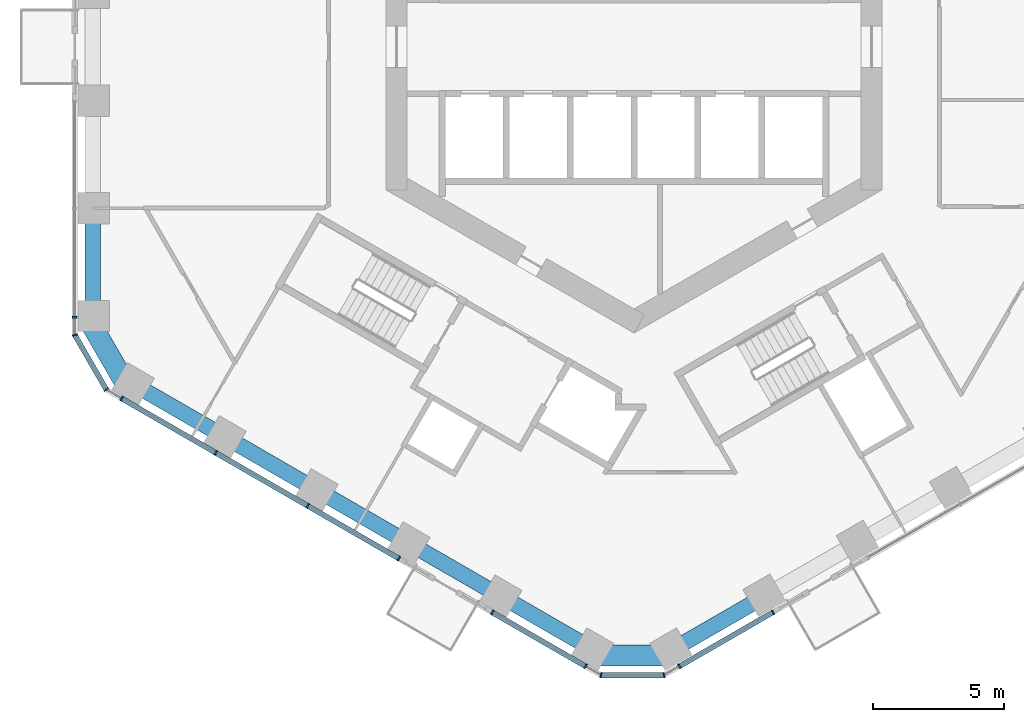
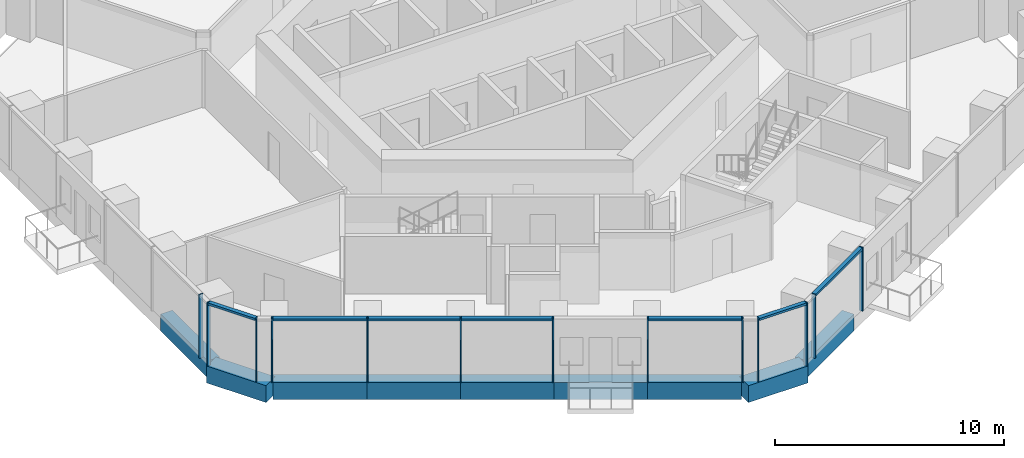
# One storey, part 2 of 20: 18 members, 9 beams, 6 elements without a shape of their own.
"""IFC4 building model written with IfcOpenShell, lengths in metres."""

from ifc_helpers import new_model, si_unit, direction, frame, origin, origin_2d, place, context, subcontext, project, spatial, rectangle, extrude, material, layer, layer_set, material_profile, profile_set, type_object, element, aggregate, save


model = new_model("IFC4")

# Units and contexts
model_context = context("Model", 3, precision=1e-05, world=origin(), true_north=direction((0.0, 1.0)))
body_context = subcontext(model_context, "Body", "Model", "MODEL_VIEW")
ifc_project = project(units=[si_unit("LENGTHUNIT", "METRE"), si_unit("AREAUNIT", "SQUARE_METRE"), si_unit("VOLUMEUNIT", "CUBIC_METRE"), si_unit("PLANEANGLEUNIT", "RADIAN"), si_unit("MASSUNIT", "GRAM", prefix="KILO")], contexts=[model_context])

# Site, building, storey
site_placement = place(None, origin())
site = spatial("IfcSite", under=ifc_project, at=site_placement, CompositionType="ELEMENT")
building_placement = place(site_placement, origin())
building = spatial("IfcBuilding", under=site, at=building_placement, Name="Ayvan Gate Tower", CompositionType="ELEMENT")
storey_placement = place(building_placement, frame((0.0, 0.0, 28.89990234375)))
storey = spatial("IfcBuildingStorey", under=building, at=storey_placement, Name="L06", CompositionType="ELEMENT", Elevation=28.89990234375)

# Beams
ifc_material_1 = material(Name="Concrete C40/50", Category="concrete")
ifc_material_profile_1 = material_profile(ifc_material_1, rectangle(XDim=0.800048828125, YDim=0.89990234375, at=origin_2d()), Name="RC 800x900")
ifc_profile_set_1 = profile_set([ifc_material_profile_1], Name="Concrete C40/50")
beam_type_1 = type_object("IfcBeamType", Name="Corner spandrel beam RC 800x900 C40/50", PredefinedType="BEAM", material=ifc_profile_set_1)
for number, where, z_axis, x_axis, name in (
    (1, (-20.9296875, -10.404052734375, -0.7998046875), (0.499990139034, -0.866031096941, 0.0), (0.866031096941, 0.499990139034, 0.0), "SB-L06-24"),
    (2, (-1.54541015625, -23.327880859375, -0.7998046875), (1.0, 0.0, 0.0), (0.0, 1.0, 0.0), "SB-L06-30"),
):
    element("IfcBeam", number, at=place(storey_placement, frame(where, z_axis=z_axis, x_axis=x_axis)), inside=storey, type_object=beam_type_1, Name=name, PredefinedType="BEAM", context=body_context, shape_type="SweptSolid", body=[
        extrude(rectangle(XDim=0.800048828125, YDim=0.89990234375, at=origin_2d()), origin(), (0.0, 0.0, 1.0), 3.0),
    ])
ifc_material_profile_2 = material_profile(ifc_material_1, rectangle(XDim=0.60009765625, YDim=0.89990234375, at=origin_2d()), Name="RC 600x900")
ifc_profile_set_2 = profile_set([ifc_material_profile_2], Name="Concrete C40/50")
beam_type_2 = type_object("IfcBeamType", Name="Spandrel beam RC 600x900 C40/50", PredefinedType="BEAM", material=ifc_profile_set_2)
beam_1_placement = place(storey_placement, frame((-20.7392578125, -6.176513671875, -0.7998046875), z_axis=(0.0, -1.0, 0.0), x_axis=(1.0, 0.0, 0.0)))
element("IfcBeam", 3, at=beam_1_placement, inside=storey, type_object=beam_type_2, Name="SB-L06-23", PredefinedType="BEAM", context=body_context, shape_type="SweptSolid", body=[
    extrude(rectangle(XDim=0.60009765625, YDim=0.89990234375, at=origin_2d()), origin(), (0.0, 0.0, 1.0), 4.11767578125),
])
beam_2_placement = place(storey_placement, frame((-19.2392578125, -12.892333984375, -0.7998046875), z_axis=(0.866043310254, -0.499968983802, 0.0), x_axis=(0.499968983802, 0.866043310254, 0.0)))
element("IfcBeam", 4, at=beam_2_placement, inside=storey, type_object=beam_type_2, Name="SB-L06-25", PredefinedType="BEAM", context=body_context, shape_type="SweptSolid", body=[
    extrude(rectangle(XDim=0.60009765625, YDim=0.89990234375, at=origin_2d()), origin(), (0.0, 0.0, 1.0), 4.086181640625),
])
beam_3_placement = place(storey_placement, frame((-15.700439453125, -14.935302734375, -0.7998046875), z_axis=(0.866017439413, -0.500013794443, 0.0), x_axis=(0.500013794443, 0.866017439413, 0.0)))
element("IfcBeam", 5, at=beam_3_placement, inside=storey, type_object=beam_type_2, Name="SB-L06-26", PredefinedType="BEAM", context=body_context, shape_type="SweptSolid", body=[
    extrude(rectangle(XDim=0.60009765625, YDim=0.89990234375, at=origin_2d()), origin(), (0.0, 0.0, 1.0), 4.08642578125),
])
for number, where, z_axis, x_axis, name in (
    (6, (-12.16162109375, -16.978515625, -0.7998046875), (0.866043310254, -0.499968983802, 0.0), (0.499968983802, 0.866043310254, 0.0), "SB-L06-27"),
    (7, (-8.622802734375, -19.021484375, -0.7998046875), (0.866002500944, -0.500039666786, 0.0), (0.500039666786, 0.866002500944, 0.0), "SB-L06-28"),
    (8, (-5.084228515625, -21.064697265625, -0.7998046875), (0.866043310254, -0.499968983802, 0.0), (0.499968983802, 0.866043310254, 0.0), "SB-L06-29"),
):
    element("IfcBeam", number, at=place(storey_placement, frame(where, z_axis=z_axis, x_axis=x_axis)), inside=storey, type_object=beam_type_2, Name=name, PredefinedType="BEAM", context=body_context, shape_type="SweptSolid", body=[
        extrude(rectangle(XDim=0.60009765625, YDim=0.89990234375, at=origin_2d()), origin(), (0.0, 0.0, 1.0), 4.086181640625),
    ])
beam_4_placement = place(storey_placement, frame((1.45458984375, -23.107666015625, -0.7998046875), z_axis=(0.866019704869, 0.500009870681, 0.0), x_axis=(-0.500009870681, 0.866019704869, 0.0)))
element("IfcBeam", 9, at=beam_4_placement, inside=storey, type_object=beam_type_2, Name="SB-L06-31", PredefinedType="BEAM", context=body_context, shape_type="SweptSolid", body=[
    extrude(rectangle(XDim=0.60009765625, YDim=0.89990234375, at=origin_2d()), origin(), (0.0, 0.0, 1.0), 4.11767578125),
])

# Curtain wall, member
ifc_material_2 = material(Name="Bronze anodised aluminium", Category="aluminium")
ifc_layer_1 = layer(ifc_material_2, 0.199951171875)
ifc_layer_set_1 = layer_set([ifc_layer_1], Name="Bronze anodised aluminium")
curtain_wall_type_1 = type_object("IfcCurtainWallType", Name="Stick curtain wall CW-1", PredefinedType="NOTDEFINED", material=ifc_layer_set_1)
curtain_wall_1_placement = place(storey_placement, origin())
curtain_wall_1 = element("IfcCurtainWall", 10, at=curtain_wall_1_placement, inside=storey, type_object=curtain_wall_type_1, Name="Stick curtain wall CW-1 L06", PredefinedType="NOTDEFINED")
ifc_material_profile_3 = material_profile(ifc_material_2, rectangle(XDim=0.199951171875, YDim=0.06005859375, at=origin_2d()), Name="Stick curtain wall CW-1 mullion 200 x 60")
ifc_profile_set_3 = profile_set([ifc_material_profile_3], Name="Bronze anodised aluminium")
member_type_1 = type_object("IfcMemberType", Name="Stick curtain wall CW-1 mullion 200 x 60", PredefinedType="MULLION", material=ifc_profile_set_3)
member_1_placement = place(storey_placement, frame((-21.42529296875, -10.3642578125, 0.0), z_axis=(0.0, 0.0, 1.0), x_axis=(-1.0, 0.0, 0.0)))
member_1 = element("IfcMember", 11, at=member_1_placement, type_object=member_type_1, Name="CW-1 mullion 3", PredefinedType="MULLION", context=body_context, shape_type="SweptSolid", body=[
    extrude(rectangle(XDim=0.199951171875, YDim=0.06005859375, at=origin_2d()), origin(), (0.0, 0.0, 1.0), 3.400146484375),
])
aggregate(curtain_wall_1, [member_1])

# Curtain wall, members
curtain_wall_2_placement = place(storey_placement, origin())
curtain_wall_2 = element("IfcCurtainWall", 12, at=curtain_wall_2_placement, inside=storey, type_object=curtain_wall_type_1, Name="Stick curtain wall CW-1 L06", PredefinedType="NOTDEFINED")
member_2_placement = place(storey_placement, frame((-19.629150390625, -13.475341796875, 0.0), z_axis=(0.0, 0.0, 1.0), x_axis=(-0.5, -0.866025403784, 0.0)))
member_2 = element("IfcMember", 13, at=member_2_placement, type_object=member_type_1, Name="CW-1 mullion 1", PredefinedType="MULLION", context=body_context, shape_type="SweptSolid", body=[
    extrude(rectangle(XDim=0.199951171875, YDim=0.06005859375, at=origin_2d()), origin(), (0.0, 0.0, 1.0), 3.400146484375),
])
member_3_placement = place(storey_placement, frame((-16.024658203125, -15.556396484375, 0.0), z_axis=(0.0, 0.0, 1.0), x_axis=(-0.5, -0.866025403784, 0.0)))
member_3 = element("IfcMember", 14, at=member_3_placement, type_object=member_type_1, Name="CW-1 mullion 2", PredefinedType="MULLION", context=body_context, shape_type="SweptSolid", body=[
    extrude(rectangle(XDim=0.199951171875, YDim=0.06005859375, at=origin_2d()), origin(), (0.0, 0.0, 1.0), 3.400146484375),
])
member_4_placement = place(storey_placement, frame((-12.502685546875, -17.58984375, 0.0), z_axis=(0.0, 0.0, 1.0), x_axis=(-0.5, -0.866025403784, 0.0)))
member_4 = element("IfcMember", 15, at=member_4_placement, type_object=member_type_1, Name="CW-1 mullion 3", PredefinedType="MULLION", context=body_context, shape_type="SweptSolid", body=[
    extrude(rectangle(XDim=0.199951171875, YDim=0.06005859375, at=origin_2d()), origin(), (0.0, 0.0, 1.0), 3.400146484375),
])
member_5_placement = place(storey_placement, frame((-9.00732421875, -19.60791015625, 0.0), z_axis=(0.0, 0.0, 1.0), x_axis=(-0.5, -0.866025403784, 0.0)))
member_5 = element("IfcMember", 16, at=member_5_placement, type_object=member_type_1, Name="CW-1 mullion 4", PredefinedType="MULLION", context=body_context, shape_type="SweptSolid", body=[
    extrude(rectangle(XDim=0.199951171875, YDim=0.06005859375, at=origin_2d()), origin(), (0.0, 0.0, 1.0), 3.400146484375),
])

curtain_wall_3_placement = place(storey_placement, origin())
curtain_wall_3 = element("IfcCurtainWall", 17, at=curtain_wall_3_placement, inside=storey, type_object=curtain_wall_type_1, Name="Stick curtain wall CW-1 L06", PredefinedType="NOTDEFINED")
member_6_placement = place(storey_placement, frame((-5.43408203125, -21.6708984375, 0.0), z_axis=(0.0, 0.0, 1.0), x_axis=(-0.5, -0.866025403784, 0.0)))
member_6 = element("IfcMember", 18, at=member_6_placement, type_object=member_type_1, Name="CW-1 mullion 1", PredefinedType="MULLION", context=body_context, shape_type="SweptSolid", body=[
    extrude(rectangle(XDim=0.199951171875, YDim=0.06005859375, at=origin_2d()), origin(), (0.0, 0.0, 1.0), 3.400146484375),
])
member_7_placement = place(storey_placement, frame((-1.85546875, -23.737060546875, 0.0), z_axis=(0.0, 0.0, 1.0), x_axis=(-0.5, -0.866025403784, 0.0)))
member_7 = element("IfcMember", 19, at=member_7_placement, type_object=member_type_1, Name="CW-1 mullion 2", PredefinedType="MULLION", context=body_context, shape_type="SweptSolid", body=[
    extrude(rectangle(XDim=0.199951171875, YDim=0.06005859375, at=origin_2d()), origin(), (0.0, 0.0, 1.0), 3.400146484375),
])

curtain_wall_4_placement = place(storey_placement, origin())
curtain_wall_4 = element("IfcCurtainWall", 20, at=curtain_wall_4_placement, inside=storey, type_object=curtain_wall_type_1, Name="Stick curtain wall CW-1 L06", PredefinedType="NOTDEFINED")
member_8_placement = place(storey_placement, frame((1.73681640625, -23.737060546875, 0.0), z_axis=(0.0, 0.0, 1.0), x_axis=(0.5, -0.866025403784, 0.0)))
member_8 = element("IfcMember", 21, at=member_8_placement, type_object=member_type_1, Name="CW-1 mullion 1", PredefinedType="MULLION", context=body_context, shape_type="SweptSolid", body=[
    extrude(rectangle(XDim=0.199951171875, YDim=0.06005859375, at=origin_2d()), origin(), (0.0, 0.0, 1.0), 3.400146484375),
])
member_9_placement = place(storey_placement, frame((5.32470703125, -21.66552734375, 0.0), z_axis=(0.0, 0.0, 1.0), x_axis=(0.5, -0.866025403784, 0.0)))
member_9 = element("IfcMember", 22, at=member_9_placement, type_object=member_type_1, Name="CW-1 mullion 2", PredefinedType="MULLION", context=body_context, shape_type="SweptSolid", body=[
    extrude(rectangle(XDim=0.199951171875, YDim=0.06005859375, at=origin_2d()), origin(), (0.0, 0.0, 1.0), 3.400146484375),
])

# Member
ifc_material_profile_4 = material_profile(ifc_material_2, rectangle(XDim=0.199951171875, YDim=0.1201171875, at=origin_2d()), Name="Stick curtain wall CW-1 transom 200 x 120")
ifc_profile_set_4 = profile_set([ifc_material_profile_4], Name="Bronze anodised aluminium")
member_type_2 = type_object("IfcMemberType", Name="Stick curtain wall CW-1 transom 200 x 120", PredefinedType="USERDEFINED", material=ifc_profile_set_4)
member_10_placement = place(storey_placement, frame((-19.629150390625, -13.475341796875, 3.340087890625), z_axis=(0.86602349169, -0.50000331183, 0.0), x_axis=(0.50000331183, 0.86602349169, 0.0)))
member_10 = element("IfcMember", 23, at=member_10_placement, type_object=member_type_2, Name="CW-1 transom 1", ObjectType="TRANSOM", PredefinedType="USERDEFINED", context=body_context, shape_type="SweptSolid", body=[
    extrude(rectangle(XDim=0.199951171875, YDim=0.1201171875, at=origin_2d()), origin(), (0.0, 0.0, 1.0), 12.26513671875),
])

aggregate(curtain_wall_2, [member_2, member_3, member_4, member_5, member_10])

member_11_placement = place(storey_placement, frame((-5.43408203125, -21.6708984375, 3.340087890625), z_axis=(0.866020293397, -0.500008851346, 0.0), x_axis=(0.500008851346, 0.866020293397, 0.0)))
member_11 = element("IfcMember", 24, at=member_11_placement, type_object=member_type_2, Name="CW-1 transom 1", ObjectType="TRANSOM", PredefinedType="USERDEFINED", context=body_context, shape_type="SweptSolid", body=[
    extrude(rectangle(XDim=0.199951171875, YDim=0.1201171875, at=origin_2d()), origin(), (0.0, 0.0, 1.0), 4.13232421875),
])

aggregate(curtain_wall_3, [member_6, member_7, member_11])

member_12_placement = place(storey_placement, frame((1.73681640625, -23.737060546875, 3.340087890625), z_axis=(0.866018757971, 0.500011510709, 0.0), x_axis=(-0.500011510709, 0.866018757971, 0.0)))
member_12 = element("IfcMember", 25, at=member_12_placement, type_object=member_type_2, Name="CW-1 transom 1", ObjectType="TRANSOM", PredefinedType="USERDEFINED", context=body_context, shape_type="SweptSolid", body=[
    extrude(rectangle(XDim=0.199951171875, YDim=0.1201171875, at=origin_2d()), origin(), (0.0, 0.0, 1.0), 4.14306640625),
])

aggregate(curtain_wall_4, [member_8, member_9, member_12])

# Curtain wall, members
ifc_layer_2 = layer(ifc_material_2, 0.199951171875)
ifc_layer_set_2 = layer_set([ifc_layer_2], Name="Bronze anodised aluminium")
curtain_wall_type_2 = type_object("IfcCurtainWallType", Name="Stick curtain wall CW-6", PredefinedType="NOTDEFINED", material=ifc_layer_set_2)
curtain_wall_5_placement = place(storey_placement, origin())
curtain_wall_5 = element("IfcCurtainWall", 26, at=curtain_wall_5_placement, inside=storey, type_object=curtain_wall_type_2, Name="Stick curtain wall CW-6 L06", PredefinedType="NOTDEFINED")
ifc_material_profile_5 = material_profile(ifc_material_2, rectangle(XDim=0.199951171875, YDim=0.050048828125, at=origin_2d()), Name="Stick curtain wall CW-6 mullion 200 x 50")
ifc_profile_set_5 = profile_set([ifc_material_profile_5], Name="Bronze anodised aluminium")
member_type_3 = type_object("IfcMemberType", Name="Stick curtain wall CW-6 mullion 200 x 50", PredefinedType="MULLION", material=ifc_profile_set_5)
member_13_placement = place(storey_placement, frame((-21.42529296875, -11.04443359375, 0.0), z_axis=(0.0, 0.0, 1.0), x_axis=(-0.965925826289, -0.258819045103, 0.0)))
member_13 = element("IfcMember", 27, at=member_13_placement, type_object=member_type_3, Name="CW-6 mullion 2", PredefinedType="MULLION", context=body_context, shape_type="SweptSolid", body=[
    extrude(rectangle(XDim=0.199951171875, YDim=0.050048828125, at=origin_2d()), origin(), (0.0, 0.0, 1.0), 3.400146484375),
])
member_14_placement = place(storey_placement, frame((-20.218017578125, -13.135498046875, 0.0), z_axis=(0.0, 0.0, 1.0), x_axis=(-0.707106781187, -0.707106781187, 0.0)))
member_14 = element("IfcMember", 28, at=member_14_placement, type_object=member_type_3, Name="CW-6 mullion 3", PredefinedType="MULLION", context=body_context, shape_type="SweptSolid", body=[
    extrude(rectangle(XDim=0.199951171875, YDim=0.050048828125, at=origin_2d()), origin(), (0.0, 0.0, 1.0), 3.400146484375),
])

curtain_wall_6_placement = place(storey_placement, origin())
curtain_wall_6 = element("IfcCurtainWall", 29, at=curtain_wall_6_placement, inside=storey, type_object=curtain_wall_type_2, Name="Stick curtain wall CW-6 L06", PredefinedType="NOTDEFINED")
member_15_placement = place(storey_placement, frame((-1.2666015625, -24.076904296875, 0.0), z_axis=(0.0, 0.0, 1.0), x_axis=(-0.258819045103, -0.965925826289, 0.0)))
member_15 = element("IfcMember", 30, at=member_15_placement, type_object=member_type_3, Name="CW-6 mullion 2", PredefinedType="MULLION", context=body_context, shape_type="SweptSolid", body=[
    extrude(rectangle(XDim=0.199951171875, YDim=0.050048828125, at=origin_2d()), origin(), (0.0, 0.0, 1.0), 3.400146484375),
])
member_16_placement = place(storey_placement, frame((1.14794921875, -24.076904296875, 0.0), z_axis=(0.0, 0.0, 1.0), x_axis=(0.258819045103, -0.965925826289, 0.0)))
member_16 = element("IfcMember", 31, at=member_16_placement, type_object=member_type_3, Name="CW-6 mullion 3", PredefinedType="MULLION", context=body_context, shape_type="SweptSolid", body=[
    extrude(rectangle(XDim=0.199951171875, YDim=0.050048828125, at=origin_2d()), origin(), (0.0, 0.0, 1.0), 3.400146484375),
])

# Member
ifc_material_profile_6 = material_profile(ifc_material_2, rectangle(XDim=0.199951171875, YDim=0.1201171875, at=origin_2d()), Name="Stick curtain wall CW-6 transom 200 x 120")
ifc_profile_set_6 = profile_set([ifc_material_profile_6], Name="Bronze anodised aluminium")
member_type_4 = type_object("IfcMemberType", Name="Stick curtain wall CW-6 transom 200 x 120", PredefinedType="USERDEFINED", material=ifc_profile_set_6)
member_17_placement = place(storey_placement, frame((-21.412841796875, -11.06591796875, 3.340087890625), z_axis=(0.500014398087, -0.866017090885, 0.0), x_axis=(0.866017090885, 0.500014398087, 0.0)))
member_17 = element("IfcMember", 32, at=member_17_placement, type_object=member_type_4, Name="CW-6 transom 2", ObjectType="TRANSOM", PredefinedType="USERDEFINED", context=body_context, shape_type="SweptSolid", body=[
    extrude(rectangle(XDim=0.199951171875, YDim=0.1201171875, at=origin_2d()), origin(), (0.0, 0.0, 1.0), 2.36474609375),
])

aggregate(curtain_wall_5, [member_13, member_14, member_17])

member_18_placement = place(storey_placement, frame((-1.24169921875, -24.076904296875, 3.340087890625), z_axis=(1.0, 0.0, 0.0), x_axis=(0.0, 1.0, 0.0)))
member_18 = element("IfcMember", 33, at=member_18_placement, type_object=member_type_4, Name="CW-6 transom 2", ObjectType="TRANSOM", PredefinedType="USERDEFINED", context=body_context, shape_type="SweptSolid", body=[
    extrude(rectangle(XDim=0.199951171875, YDim=0.1201171875, at=origin_2d()), origin(), (0.0, 0.0, 1.0), 2.36474609375),
])

aggregate(curtain_wall_6, [member_15, member_16, member_18])

save(model, "model.ifc")
